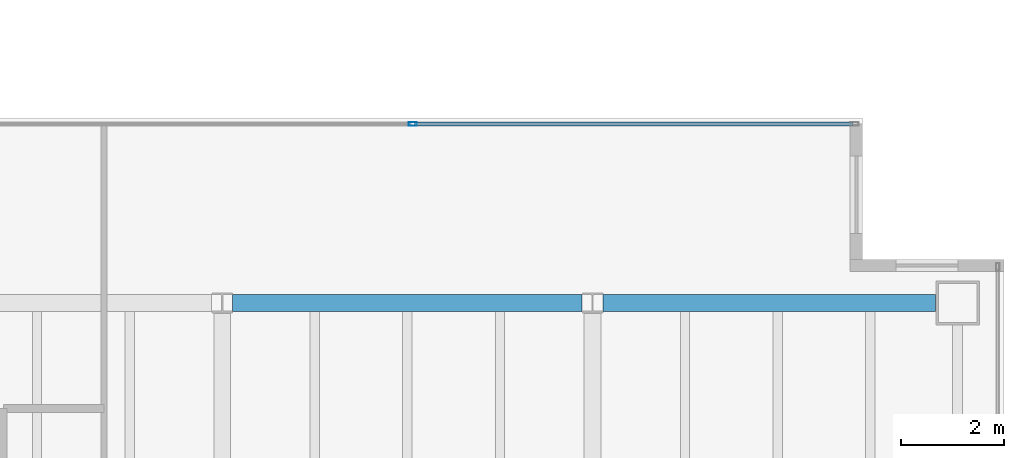
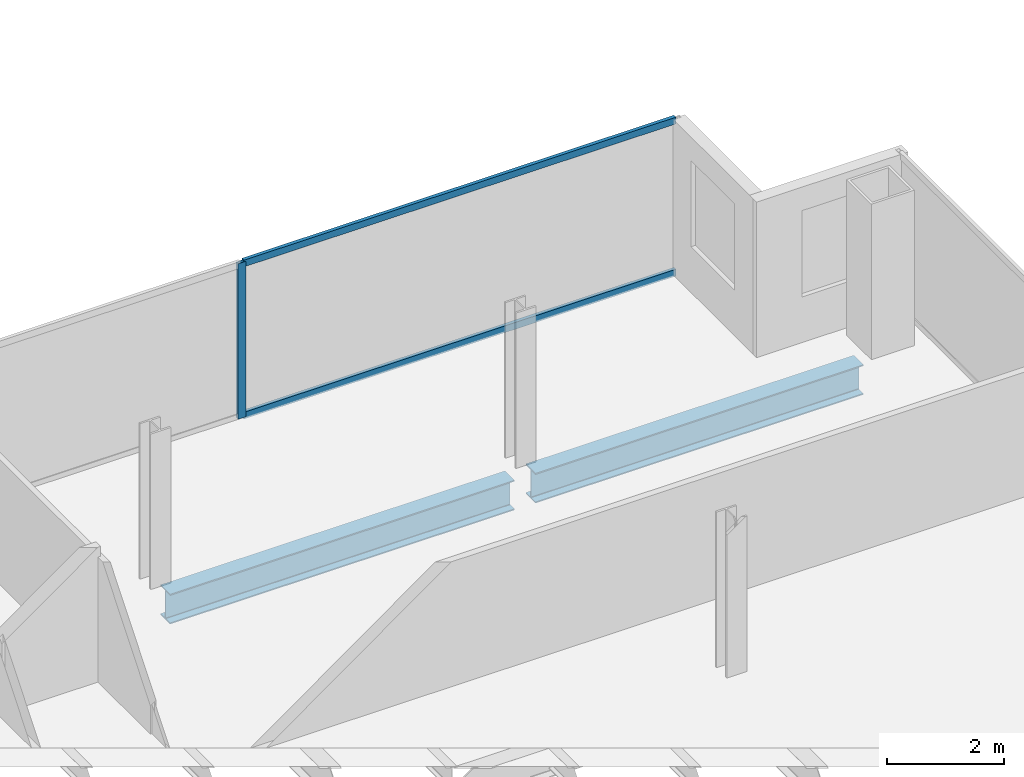
# One storey, part 15 of 23: 3 members, 2 beams, 1 element without a shape of its own.
"""IFC4 building model written with IfcOpenShell, lengths in metres."""

from ifc_helpers import new_model, si_unit, direction, frame, origin, origin_2d, place, context, subcontext, project, spatial, hollow_rectangle, i_section, extrude, material, material_profile, profile_set, type_object, element, aggregate, save


model = new_model("IFC4")

# Units and contexts
model_context = context("Model", 3, precision=1e-05, world=origin(), true_north=direction((0.0, 1.0)))
body_context = subcontext(model_context, "Body", "Model", "MODEL_VIEW")
ifc_project = project(units=[si_unit("LENGTHUNIT", "METRE"), si_unit("AREAUNIT", "SQUARE_METRE"), si_unit("VOLUMEUNIT", "CUBIC_METRE"), si_unit("PLANEANGLEUNIT", "RADIAN"), si_unit("MASSUNIT", "GRAM", prefix="KILO")], contexts=[model_context])

# Site, building, storey
site_placement = place(None, origin())
site = spatial("IfcSite", under=ifc_project, at=site_placement, CompositionType="ELEMENT")
building_placement = place(site_placement, origin())
building = spatial("IfcBuilding", under=site, at=building_placement, Name="Cobrela Telecom Tower", CompositionType="ELEMENT")
storey_placement = place(building_placement, frame((0.0, 0.0, 183.75)))
storey = spatial("IfcBuildingStorey", under=building, at=storey_placement, Name="L46", CompositionType="ELEMENT", Elevation=183.75)

# Beams
ifc_material_1 = material(Name="Steel ASTM A992 Grade 50", Category="steel")
ifc_material_profile_1 = material_profile(ifc_material_1, i_section(OverallWidth=0.327880859375, OverallDepth=0.6220703125, WebThickness=0.015380859375, FlangeThickness=0.0244140625, FilletRadius=0.014892578125, at=origin_2d()), Name="W24X131")
ifc_profile_set_1 = profile_set([ifc_material_profile_1], Name="Steel ASTM A992 Grade 50")
beam_type = type_object("IfcBeamType", Name="BM-GIRD-06", PredefinedType="USERDEFINED", material=ifc_profile_set_1)
beam_1_placement = place(storey_placement, frame((29.00439453125, 21.60009765625, -0.571044921875), z_axis=(1.0, 0.0, 0.0), x_axis=(0.0, 1.0, 0.0)))
element("IfcBeam", 1, at=beam_1_placement, inside=storey, type_object=beam_type, Name="L46 Primary Girder X17", ObjectType="GIRDER", PredefinedType="USERDEFINED", context=body_context, shape_type="SweptSolid", body=[
    extrude(i_section(OverallWidth=0.327880859375, OverallDepth=0.6220703125, WebThickness=0.015380859375, FlangeThickness=0.0244140625, FilletRadius=0.014892578125, at=origin_2d()), origin(), (0.0, 0.0, 1.0), 6.791015625),
])
beam_2_placement = place(storey_placement, frame((36.20458984375, 21.60009765625, -0.571044921875), z_axis=(1.0, 0.0, 0.0), x_axis=(0.0, 1.0, 0.0)))
element("IfcBeam", 2, at=beam_2_placement, inside=storey, type_object=beam_type, Name="L46 Primary Girder X18", ObjectType="GIRDER", PredefinedType="USERDEFINED", context=body_context, shape_type="SweptSolid", body=[
    extrude(i_section(OverallWidth=0.327880859375, OverallDepth=0.6220703125, WebThickness=0.015380859375, FlangeThickness=0.0244140625, FilletRadius=0.014892578125, at=origin_2d()), origin(), (0.0, 0.0, 1.0), 6.46533203125),
])

# Curtain wall, members
ifc_material_2 = material(Name="Anodized Bronze Aluminium 6063-T6", Category="aluminium")
curtain_wall_type = type_object("IfcCurtainWallType", Name="CW-SYS-OFF-LO", PredefinedType="USERDEFINED", material=ifc_material_2)
curtain_wall_placement = place(storey_placement, origin())
curtain_wall = element("IfcCurtainWall", 3, at=curtain_wall_placement, inside=storey, type_object=curtain_wall_type, Name="L46 Unitised Bronze Curtain Wall 11", ObjectType="UNITISED CURTAIN WALL", PredefinedType="USERDEFINED")
ifc_material_profile_2 = material_profile(ifc_material_2, hollow_rectangle(XDim=0.070068359375, YDim=0.159912109375, WallThickness=0.00390625, at=origin_2d()), Name="ALU 70x160x4")
ifc_profile_set_2 = profile_set([ifc_material_profile_2], Name="Anodized Bronze Aluminium 6063-T6")
member_type_1 = type_object("IfcMemberType", Name="CW-SYS-OFF-LO-MUL", PredefinedType="MULLION", material=ifc_profile_set_2)
member_1_placement = place(storey_placement, frame((32.5048828125, 25.080078125, 0.0), z_axis=(0.0, 0.0, 1.0), x_axis=(0.0, 1.0, 0.0)))
member_1 = element("IfcMember", 4, at=member_1_placement, type_object=member_type_1, Name="CW-OFF-LO mullion 2", PredefinedType="MULLION", context=body_context, shape_type="SweptSolid", body=[
    extrude(hollow_rectangle(XDim=0.070068359375, YDim=0.159912109375, WallThickness=0.00390625, at=origin_2d()), origin(), (0.0, 0.0, 1.0), 3.239990234375),
])
ifc_material_profile_3 = material_profile(ifc_material_2, hollow_rectangle(XDim=0.070068359375, YDim=0.139892578125, WallThickness=0.00390625, at=origin_2d()), Name="ALU 70x140x4")
ifc_profile_set_3 = profile_set([ifc_material_profile_3], Name="Anodized Bronze Aluminium 6063-T6")
member_type_2 = type_object("IfcMemberType", Name="CW-SYS-OFF-LO-TRN", PredefinedType="USERDEFINED", material=ifc_profile_set_3)
member_2_placement = place(storey_placement, frame((32.5400390625, 25.080078125, 0.034912109375), z_axis=(1.0, 0.0, 0.0), x_axis=(0.0, 1.0, 0.0)))
member_2 = element("IfcMember", 5, at=member_2_placement, type_object=member_type_2, Name="CW-OFF-LO transom 2.1", ObjectType="TRANSOM", PredefinedType="USERDEFINED", context=body_context, shape_type="SweptSolid", body=[
    extrude(hollow_rectangle(XDim=0.070068359375, YDim=0.139892578125, WallThickness=0.00390625, at=origin_2d()), origin(), (0.0, 0.0, 1.0), 8.52001953125),
])
member_3_placement = place(storey_placement, frame((32.5400390625, 25.080078125, 3.205078125), z_axis=(1.0, 0.0, 0.0), x_axis=(0.0, 1.0, 0.0)))
member_3 = element("IfcMember", 6, at=member_3_placement, type_object=member_type_2, Name="CW-OFF-LO transom 2.2", ObjectType="TRANSOM", PredefinedType="USERDEFINED", context=body_context, shape_type="SweptSolid", body=[
    extrude(hollow_rectangle(XDim=0.070068359375, YDim=0.139892578125, WallThickness=0.00390625, at=origin_2d()), origin(), (0.0, 0.0, 1.0), 8.52001953125),
])
aggregate(curtain_wall, [member_1, member_2, member_3])

save(model, "model.ifc")
